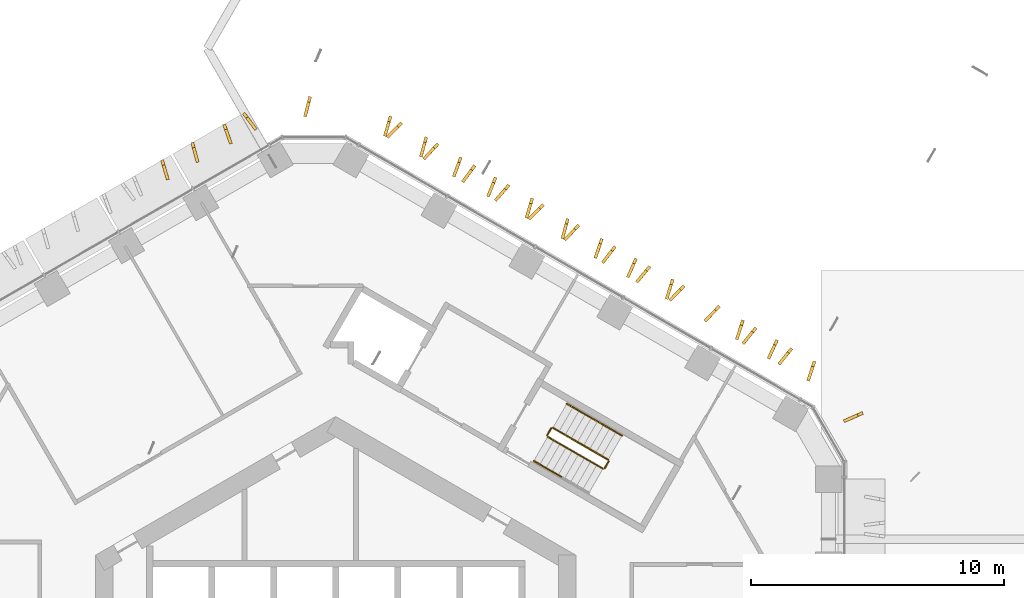
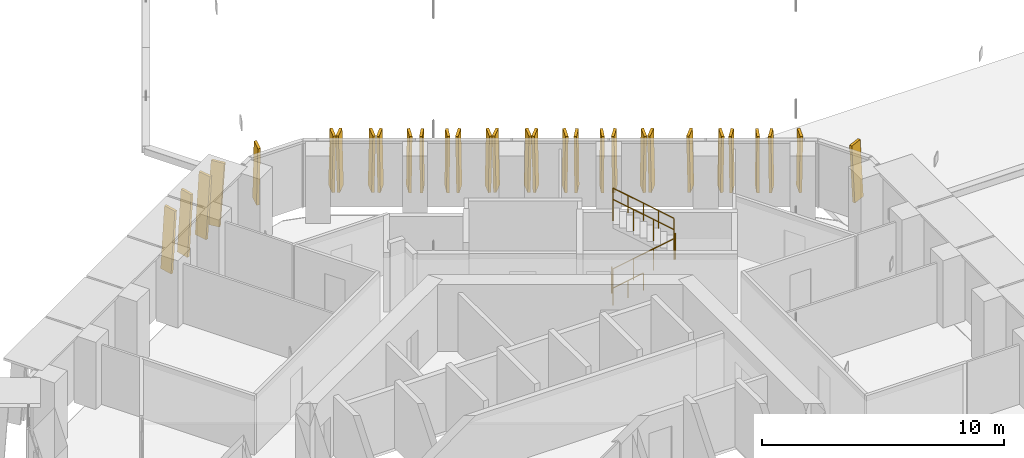
# One storey, part 25 of 25: 30 shading devices, 7 railings.
"""IFC4 building model written with IfcOpenShell, lengths in metres."""

from ifc_helpers import new_model, si_unit, direction, frame, origin, origin_2d, place, context, subcontext, project, spatial, polyline, circle, outline, extrude, material, layer, layer_set, type_object, element, save


model = new_model("IFC4")

# Units and contexts
model_context = context("Model", 3, precision=1e-05, world=origin(), true_north=direction((0.0, 1.0)))
body_context = subcontext(model_context, "Body", "Model", "MODEL_VIEW")
ifc_project = project(units=[si_unit("LENGTHUNIT", "METRE"), si_unit("AREAUNIT", "SQUARE_METRE"), si_unit("VOLUMEUNIT", "CUBIC_METRE"), si_unit("PLANEANGLEUNIT", "RADIAN"), si_unit("MASSUNIT", "GRAM", prefix="KILO")], contexts=[model_context])

# Site, building, storey
site_placement = place(None, origin())
site = spatial("IfcSite", under=ifc_project, at=site_placement, CompositionType="ELEMENT")
building_placement = place(site_placement, origin())
building = spatial("IfcBuilding", under=site, at=building_placement, Name="Ayvan Gate Tower", CompositionType="ELEMENT")
storey_placement = place(building_placement, frame((0.0, 0.0, 132.5)))
storey = spatial("IfcBuildingStorey", under=building, at=storey_placement, Name="L35", CompositionType="ELEMENT", Elevation=132.5)

# Shading devices
ifc_material_1 = material(Name="Bronze anodised aluminium", Category="aluminium")
ifc_layer = layer(ifc_material_1, 0.1201171875)
ifc_layer_set = layer_set([ifc_layer], Name="Bronze anodised aluminium")
shading_device_type = type_object("IfcShadingDeviceType", Name="Bronze fin 600 x 120", PredefinedType="USERDEFINED", material=ifc_layer_set)
shading_device_1_placement = place(storey_placement, frame((-3.231689453125, 22.52197265625, 0.0), z_axis=(0.797551794974, 0.603250273494, 0.000491795237), x_axis=(-0.603250346415, 0.797551891447, -7.9812e-08)))
element("IfcShadingDevice", 1, at=shading_device_1_placement, inside=storey, type_object=shading_device_type, Name="Bronze fin FG12.1.1", ObjectType="FIN", PredefinedType="USERDEFINED", context=body_context, shape_type="SweptSolid", body=[
    extrude(outline(polyline([(0.0, 0.0), (0.5999069142144828, 0.0), (0.38355439948075887, 3.280029724145549), (-0.21649979265032923, 3.280029628373975), (0.0, 0.0)])), origin(), (0.0, 0.0, -1.0), 0.1201171875),
])
shading_device_2_placement = place(storey_placement, frame((-4.157958984375, 21.978759765625, 0.0), z_axis=(0.943132871597, 0.332415684251, 0.000446516078), x_axis=(-0.332415717389, 0.943132965616, 0.0)))
element("IfcShadingDevice", 2, at=shading_device_2_placement, inside=storey, type_object=shading_device_type, Name="Bronze fin FG12.1.2", ObjectType="FIN", PredefinedType="USERDEFINED", context=body_context, shape_type="SweptSolid", body=[
    extrude(outline(polyline([(0.0, 0.0), (0.600040492042501, -1.3552527156068805e-20), (0.3836309296616108, 3.280029623855607), (-0.21640956238089024, 3.280029623855607), (0.0, 0.0)])), origin(), (0.0, 0.0, -1.0), 0.1201171875),
])
shading_device_3_placement = place(storey_placement, frame((-5.457275390625, 21.245849609375, 0.0), z_axis=(0.964829429469, 0.262876343921, 0.000447031627), x_axis=(-0.262876370187, 0.964829525873, 0.0)))
element("IfcShadingDevice", 3, at=shading_device_3_placement, inside=storey, type_object=shading_device_type, Name="Bronze fin FG12.1.4", ObjectType="FIN", PredefinedType="USERDEFINED", context=body_context, shape_type="SweptSolid", body=[
    extrude(outline(polyline([(0.0, 0.0), (0.5999582375456302, -1.3552527156068805e-20), (0.3837553542008611, 3.280029624611109), (-0.21620288334476898, 3.280029624611109), (0.0, 0.0)])), origin(), (0.0, 0.0, -1.0), 0.1201171875),
])
shading_device_4_placement = place(storey_placement, frame((-6.64111328125, 20.55712890625, 0.0), z_axis=(0.959407506049, 0.282023076009, 0.000471100917), x_axis=(-0.282023107293, 0.959407612516, -2.7029e-08)))
element("IfcShadingDevice", 4, at=shading_device_4_placement, inside=storey, type_object=shading_device_type, Name="Bronze fin FG12.1.6", ObjectType="FIN", PredefinedType="USERDEFINED", context=body_context, shape_type="SweptSolid", body=[
    extrude(outline(polyline([(0.0, 0.0), (0.600030557535579, 1.3552527156068805e-20), (0.38343175509556043, 3.2800296712173793), (-0.21636457206586915, 3.280029638786859), (0.0, 0.0)])), origin(), (0.0, 0.0, -1.0), 0.1201171875),
])
shading_device_5_placement = place(storey_placement, frame((20.314453125, 10.813720703125, 0.0), z_axis=(0.404060879672, -0.914731981373, 0.000455819153), x_axis=(0.914732076401, 0.404060921649, 0.0)))
element("IfcShadingDevice", 5, at=shading_device_5_placement, inside=storey, type_object=shading_device_type, Name="Bronze fin FG12.10.130", ObjectType="FIN", PredefinedType="USERDEFINED", context=body_context, shape_type="SweptSolid", body=[
    extrude(outline(polyline([(0.0, 0.0), (0.599987842516117, 0.0), (0.3836033983130431, 3.000000311656699), (-0.21638444420307396, 3.000000311656699), (0.0, 0.0)])), origin(), (0.0, 0.0, -1.0), 0.1201171875),
])
shading_device_6_placement = place(storey_placement, frame((18.798583984375, 12.563720703125, 0.0), z_axis=(0.950537930955, -0.310608050624, 0.000529814536), x_axis=(0.310608094184, 0.950538064376, 6.8983e-08)))
element("IfcShadingDevice", 6, at=shading_device_6_placement, inside=storey, type_object=shading_device_type, Name="Bronze fin FG12.11.131", ObjectType="FIN", PredefinedType="USERDEFINED", context=body_context, shape_type="SweptSolid", body=[
    extrude(outline(polyline([(0.0, 0.0), (0.5999635972276286, -2.710505431213761e-20), (0.38372043295038133, 3.000000394585109), (-0.21655106128861445, 3.0000004773808113), (0.0, 0.0)])), origin(), (0.0, 0.0, -1.0), 0.1201171875),
])
shading_device_7_placement = place(storey_placement, frame((17.700439453125, 13.1591796875, 0.0), z_axis=(0.779278163108, -0.62667800062, 0.000477537835), x_axis=(0.626678072074, 0.779278251962, 0.0)))
element("IfcShadingDevice", 7, at=shading_device_7_placement, inside=storey, type_object=shading_device_type, Name="Bronze fin FG12.11.132", ObjectType="FIN", PredefinedType="USERDEFINED", context=body_context, shape_type="SweptSolid", body=[
    extrude(outline(polyline([(0.0, 0.0), (0.5999516805424819, 2.710505431213761e-20), (0.38356889747128375, 3.000000342063634), (-0.21638278307119818, 3.000000342063634), (0.0, 0.0)])), origin(), (0.0, 0.0, -1.0), 0.1201171875),
])
shading_device_8_placement = place(storey_placement, frame((17.25439453125, 13.42333984375, 0.0), z_axis=(0.908820577889, -0.417186885687, 0.000509526187), x_axis=(0.417186939885, 0.908820695841, -9.4183e-08)))
element("IfcShadingDevice", 8, at=shading_device_8_placement, inside=storey, type_object=shading_device_type, Name="Bronze fin FG12.11.133", ObjectType="FIN", PredefinedType="USERDEFINED", context=body_context, shape_type="SweptSolid", body=[
    extrude(outline(polyline([(0.0, 0.0), (0.6001804772537527, 2.710505431213761e-20), (0.3837140550176979, 3.0000004255648656), (-0.21636456995580933, 3.0000003125207613), (0.0, 0.0)])), origin(), (0.0, 0.0, -1.0), 0.1201171875),
])
shading_device_9_placement = place(storey_placement, frame((16.28515625, 13.976806640625, 0.0), z_axis=(0.77772303272, -0.628606898014, 0.000502141585), x_axis=(0.628606977289, 0.77772313075, -6.4224e-08)))
element("IfcShadingDevice", 9, at=shading_device_9_placement, inside=storey, type_object=shading_device_type, Name="Bronze fin FG12.11.134", ObjectType="FIN", PredefinedType="USERDEFINED", context=body_context, shape_type="SweptSolid", body=[
    extrude(outline(polyline([(0.0, 0.0), (0.5999576862243057, 0.0), (0.38364463569208285, 3.0000004028583853), (-0.2165029243434411, 3.000000325783275), (0.0, 0.0)])), origin(), (0.0, 0.0, -1.0), 0.1201171875),
])
shading_device_10_placement = place(storey_placement, frame((15.975830078125, 14.1943359375, 0.0), z_axis=(0.951235584002, -0.308464843925, 0.00055117166), x_axis=(0.308464890797, 0.951235728485, -3.4601e-08)))
element("IfcShadingDevice", 10, at=shading_device_10_placement, inside=storey, type_object=shading_device_type, Name="Bronze fin FG12.11.135", ObjectType="FIN", PredefinedType="USERDEFINED", context=body_context, shape_type="SweptSolid", body=[
    extrude(outline(polyline([(0.0, 0.0), (0.599817940598778, 1.3552527156068805e-20), (0.38342149473686266, 3.000000468952005), (-0.2166286811471899, 3.000000427435887), (0.0, 0.0)])), origin(), (0.0, 0.0, -1.0), 0.1201171875),
])
shading_device_11_placement = place(storey_placement, frame((14.792724609375, 14.857421875, 0.0), z_axis=(0.717706188322, -0.696345885099, 0.000485335015), x_axis=(0.696345967086, 0.717706272874, 7.0871e-08)))
element("IfcShadingDevice", 11, at=shading_device_11_placement, inside=storey, type_object=shading_device_type, Name="Bronze fin FG12.11.136", ObjectType="FIN", PredefinedType="USERDEFINED", context=body_context, shape_type="SweptSolid", body=[
    extrude(outline(polyline([(0.0, 0.0), (0.5999711462486172, -2.710505431213761e-20), (0.38365758688455504, 3.000000326135019), (-0.21648356570368285, 3.000000411188079), (0.0, 0.0)])), origin(), (0.0, 0.0, -1.0), 0.1201171875),
])
shading_device_12_placement = place(storey_placement, frame((13.39697265625, 15.664794921875, 0.0), z_axis=(0.713484380332, -0.700670949329, 0.000509694313), x_axis=(0.700671040369, 0.713484472984, -7.3953e-08)))
element("IfcShadingDevice", 12, at=shading_device_12_placement, inside=storey, type_object=shading_device_type, Name="Bronze fin FG12.11.138", ObjectType="FIN", PredefinedType="USERDEFINED", context=body_context, shape_type="SweptSolid", body=[
    extrude(outline(polyline([(0.0, 0.0), (0.6002705000411246, -2.710505431213761e-20), (0.38379363748201195, 3.000000418065317), (-0.21630580029339758, 3.0000003292940374), (0.0, 0.0)])), origin(), (0.0, 0.0, -1.0), 0.1201171875),
])
shading_device_13_placement = place(storey_placement, frame((13.203369140625, 15.799072265625, 0.0), z_axis=(0.954801488968, -0.297243762067, 0.000512422218), x_axis=(0.297243801126, 0.954801614312, -6.8535e-08)))
element("IfcShadingDevice", 13, at=shading_device_13_placement, inside=storey, type_object=shading_device_type, Name="Bronze fin FG12.11.139", ObjectType="FIN", PredefinedType="USERDEFINED", context=body_context, shape_type="SweptSolid", body=[
    extrude(outline(polyline([(0.0, 0.0), (0.600147609231588, 1.3552527156068805e-20), (0.38357924190781817, 3.0000004201535693), (-0.2162626921735166, 3.000000337912011), (0.0, 0.0)])), origin(), (0.0, 0.0, -1.0), 0.1201171875),
])
shading_device_14_placement = place(storey_placement, frame((12.08203125, 16.406005859375, 0.0), z_axis=(0.767453465582, -0.641104419419, 0.00054915161), x_axis=(0.641104516123, 0.767453581271, -8.5737e-08)))
element("IfcShadingDevice", 14, at=shading_device_14_placement, inside=storey, type_object=shading_device_type, Name="Bronze fin FG12.11.140", ObjectType="FIN", PredefinedType="USERDEFINED", context=body_context, shape_type="SweptSolid", body=[
    extrude(outline(polyline([(0.0, 0.0), (0.6000483817598112, 0.0), (0.3835460217182938, 3.0000004852354265), (-0.21634584038426086, 3.0000003823561774), (0.0, 0.0)])), origin(), (0.0, 0.0, -1.0), 0.1201171875),
])
shading_device_15_placement = place(storey_placement, frame((11.68701171875, 16.641845703125, 0.0), z_axis=(0.916493156445, -0.400050076725, 0.000479896987), x_axis=(0.400050122791, 0.91649326198, 0.0)))
element("IfcShadingDevice", 15, at=shading_device_15_placement, inside=storey, type_object=shading_device_type, Name="Bronze fin FG12.11.141", ObjectType="FIN", PredefinedType="USERDEFINED", context=body_context, shape_type="SweptSolid", body=[
    extrude(outline(polyline([(0.0, 0.0), (0.5999004142291786, 0.0), (0.3834996362973828, 3.0000003454517365), (-0.21640077793179577, 3.0000003454517365), (0.0, 0.0)])), origin(), (0.0, 0.0, -1.0), 0.1201171875),
])
shading_device_16_placement = place(storey_placement, frame((10.72900390625, 17.181640625, 0.0), z_axis=(0.79129833209, -0.611430056038, 0.000486008659), x_axis=(0.611430128196, 0.791298425586, 1.38709e-07)))
element("IfcShadingDevice", 16, at=shading_device_16_placement, inside=storey, type_object=shading_device_type, Name="Bronze fin FG12.11.142", ObjectType="FIN", PredefinedType="USERDEFINED", context=body_context, shape_type="SweptSolid", body=[
    extrude(outline(polyline([(0.0, 0.0), (0.5999617896275216, 2.710505431213761e-20), (0.38361280364123235, 3.000000301096234), (-0.21630507282774675, 3.000000467530139), (0.0, 0.0)])), origin(), (0.0, 0.0, -1.0), 0.1201171875),
])
shading_device_17_placement = place(storey_placement, frame((10.3876953125, 17.4140625, 0.0), z_axis=(0.945420394399, -0.325852726297, 0.000527843194), x_axis=(0.325852771691, 0.945420526105, 0.0)))
element("IfcShadingDevice", 17, at=shading_device_17_placement, inside=storey, type_object=shading_device_type, Name="Bronze fin FG12.11.143", ObjectType="FIN", PredefinedType="USERDEFINED", context=body_context, shape_type="SweptSolid", body=[
    extrude(outline(polyline([(0.0, 0.0), (0.6001380304671131, 0.0), (0.3837078235645476, 3.0000004179277426), (-0.2164302069025655, 3.0000004179277426), (0.0, 0.0)])), origin(), (0.0, 0.0, -1.0), 0.1201171875),
])
shading_device_18_placement = place(storey_placement, frame((9.2421875, 18.058837890625, 0.0), z_axis=(0.725872388741, -0.687829188995, 0.000531065358), x_axis=(0.687829286019, 0.725872491071, -7.8412e-08)))
element("IfcShadingDevice", 18, at=shading_device_18_placement, inside=storey, type_object=shading_device_type, Name="Bronze fin FG12.11.144", ObjectType="FIN", PredefinedType="USERDEFINED", context=body_context, shape_type="SweptSolid", body=[
    extrude(outline(polyline([(0.0, 0.0), (0.600116173518062, 0.0), (0.3836004273695949, 3.0000004531246307), (-0.2163478190766851, 3.00000035902507), (0.0, 0.0)])), origin(), (0.0, 0.0, -1.0), 0.1201171875),
])
shading_device_19_placement = place(storey_placement, frame((9.075439453125, 18.197021484375, 0.0), z_axis=(0.965063528009, -0.262015561567, 0.000482082527), x_axis=(0.262015592014, 0.965063640151, 0.0)))
element("IfcShadingDevice", 19, at=shading_device_19_placement, inside=storey, type_object=shading_device_type, Name="Bronze fin FG12.11.145", ObjectType="FIN", PredefinedType="USERDEFINED", context=body_context, shape_type="SweptSolid", body=[
    extrude(outline(polyline([(0.0, 0.0), (0.6000656727771618, 1.3552527156068805e-20), (0.38362913479173455, 3.0000003486054045), (-0.2164365379854273, 3.0000003486054045), (0.0, 0.0)])), origin(), (0.0, 0.0, -1.0), 0.1201171875),
])
shading_device_20_placement = place(storey_placement, frame((7.830078125, 18.880859375, 0.0), z_axis=(0.708935679413, -0.705272980725, 0.000474463084), x_axis=(0.705273060109, 0.708935759209, 0.0)))
element("IfcShadingDevice", 20, at=shading_device_20_placement, inside=storey, type_object=shading_device_type, Name="Bronze fin FG12.11.146", ObjectType="FIN", PredefinedType="USERDEFINED", context=body_context, shape_type="SweptSolid", body=[
    extrude(outline(polyline([(0.0, 0.0), (0.5999033949487422, 0.0), (0.3835965911023943, 3.0000003376728848), (-0.21630680384634796, 3.0000003376728848), (0.0, 0.0)])), origin(), (0.0, 0.0, -1.0), 0.1201171875),
])
shading_device_21_placement = place(storey_placement, frame((7.658935546875, 19.005859375, 0.0), z_axis=(0.959043975275, -0.283256782004, 0.000498935719), x_axis=(0.283256817274, 0.959044094642, -2.8764e-08)))
element("IfcShadingDevice", 21, at=shading_device_21_placement, inside=storey, type_object=shading_device_type, Name="Bronze fin FG12.11.147", ObjectType="FIN", PredefinedType="USERDEFINED", context=body_context, shape_type="SweptSolid", body=[
    extrude(outline(polyline([(0.0, 0.0), (0.5997691972166481, 0.0), (0.38344430762945053, 3.000000384434781), (-0.21655903121186604, 3.0000003499243975), (0.0, 0.0)])), origin(), (0.0, 0.0, -1.0), 0.1201171875),
])
shading_device_22_placement = place(storey_placement, frame((6.500732421875, 19.63232421875, 0.0), z_axis=(0.753974203806, -0.656903840725, 0.000493998655), x_axis=(0.656903920904, 0.753974295783, -6.6048e-08)))
element("IfcShadingDevice", 22, at=shading_device_22_placement, inside=storey, type_object=shading_device_type, Name="Bronze fin FG12.11.148", ObjectType="FIN", PredefinedType="USERDEFINED", context=body_context, shape_type="SweptSolid", body=[
    extrude(outline(polyline([(0.0, 0.0), (0.5997566709298165, -2.710505431213761e-20), (0.38338891078003506, 3.000000391374321), (-0.21655183590558785, 3.0000003121361734), (0.0, 0.0)])), origin(), (0.0, 0.0, -1.0), 0.1201171875),
])
shading_device_23_placement = place(storey_placement, frame((6.153076171875, 19.842529296875, 0.0), z_axis=(0.925957914868, -0.377626431552, 0.000466996812), x_axis=(0.377626472714, 0.925958015844, 3.5874e-08)))
element("IfcShadingDevice", 23, at=shading_device_23_placement, inside=storey, type_object=shading_device_type, Name="Bronze fin FG12.11.149", ObjectType="FIN", PredefinedType="USERDEFINED", context=body_context, shape_type="SweptSolid", body=[
    extrude(outline(polyline([(0.0, 0.0), (0.6000775905125291, 0.0), (0.3835853603171978, 3.000000313368374), (-0.21626616622661948, 3.000000356414551), (0.0, 0.0)])), origin(), (0.0, 0.0, -1.0), 0.1201171875),
])
shading_device_24_placement = place(storey_placement, frame((5.19189453125, 20.3759765625, 0.0), z_axis=(0.805796530266, -0.592192299825, 0.000481496887), x_axis=(0.592192368524, 0.805796623635, -1.36942e-07)))
element("IfcShadingDevice", 24, at=shading_device_24_placement, inside=storey, type_object=shading_device_type, Name="Bronze fin FG12.11.150", ObjectType="FIN", PredefinedType="USERDEFINED", context=body_context, shape_type="SweptSolid", body=[
    extrude(outline(polyline([(0.0, 0.0), (0.6000267098068054, -2.710505431213761e-20), (0.3837231842106155, 3.000000400306793), (-0.21635567507253523, 3.0000002359619202), (0.0, 0.0)])), origin(), (0.0, 0.0, -1.0), 0.1201171875),
])
shading_device_25_placement = place(storey_placement, frame((4.79736328125, 20.63525390625, 0.0), z_axis=(0.938575510929, -0.345073502392, 0.000536872491), x_axis=(0.345073552142, 0.938575646185, -3.7701e-08)))
element("IfcShadingDevice", 25, at=shading_device_25_placement, inside=storey, type_object=shading_device_type, Name="Bronze fin FG12.11.151", ObjectType="FIN", PredefinedType="USERDEFINED", context=body_context, shape_type="SweptSolid", body=[
    extrude(outline(polyline([(0.0, 0.0), (0.599848098710853, 0.0), (0.3836023413318599, 3.0000004468103536), (-0.21647490182386245, 3.000000401572101), (0.0, 0.0)])), origin(), (0.0, 0.0, -1.0), 0.1201171875),
])
shading_device_26_placement = place(storey_placement, frame((3.677001953125, 21.2685546875, 0.0), z_axis=(0.735013906661, -0.678051854664, 0.000489285855), x_axis=(0.678051935829, 0.735013994641, -5.668e-09)))
element("IfcShadingDevice", 26, at=shading_device_26_placement, inside=storey, type_object=shading_device_type, Name="Bronze fin FG12.11.152", ObjectType="FIN", PredefinedType="USERDEFINED", context=body_context, shape_type="SweptSolid", body=[
    extrude(outline(polyline([(0.0, 0.0), (0.6002155432968148, 0.0), (0.38361676124317046, 3.0000003612754833), (-0.21625379525421318, 3.0000003544730616), (0.0, 0.0)])), origin(), (0.0, 0.0, -1.0), 0.1201171875),
])
shading_device_27_placement = place(storey_placement, frame((3.47998046875, 21.42529296875, 0.0), z_axis=(0.963599364186, -0.267349992513, 0.000496834463), x_axis=(0.26735002551, 0.963599483115, 0.0)))
element("IfcShadingDevice", 27, at=shading_device_27_placement, inside=storey, type_object=shading_device_type, Name="Bronze fin FG12.11.153", ObjectType="FIN", PredefinedType="USERDEFINED", context=body_context, shape_type="SweptSolid", body=[
    extrude(outline(polyline([(0.0, 0.0), (0.5999639997013593, 0.0), (0.3834316717481956, 3.000000370266794), (-0.21653232795316368, 3.000000370266794), (0.0, 0.0)])), origin(), (0.0, 0.0, -1.0), 0.1201171875),
])
shading_device_28_placement = place(storey_placement, frame((2.227783203125, 22.115966796875, 0.0), z_axis=(0.707310133255, -0.706903165399, 0.000538649512), x_axis=(0.706903267951, 0.707310235866, 0.0)))
element("IfcShadingDevice", 28, at=shading_device_28_placement, inside=storey, type_object=shading_device_type, Name="Bronze fin FG12.11.154", ObjectType="FIN", PredefinedType="USERDEFINED", context=body_context, shape_type="SweptSolid", body=[
    extrude(outline(polyline([(0.0, 0.0), (0.5999014078040121, 0.0), (0.38359209901849955, 3.00000043521504), (-0.2163093087855126, 3.00000043521504), (0.0, 0.0)])), origin(), (0.0, 0.0, -1.0), 0.1201171875),
])
shading_device_29_placement = place(storey_placement, frame((2.058837890625, 22.242919921875, 0.0), z_axis=(0.96164659165, -0.274291071846, 0.000490584243), x_axis=(0.274291104853, 0.961646707371, 0.0)))
element("IfcShadingDevice", 29, at=shading_device_29_placement, inside=storey, type_object=shading_device_type, Name="Bronze fin FG12.11.155", ObjectType="FIN", PredefinedType="USERDEFINED", context=body_context, shape_type="SweptSolid", body=[
    extrude(outline(polyline([(0.0, 0.0), (0.5999129331518229, 0.0), (0.3834432473408908, 3.000000361009415), (-0.21646968581093207, 3.000000361009415), (0.0, 0.0)])), origin(), (0.0, 0.0, -1.0), 0.1201171875),
])
shading_device_30_placement = place(storey_placement, frame((-1.10009765625, 23.021240234375, 0.0), z_axis=(0.969444403786, -0.245310522653, 0.000543548015), x_axis=(0.245310558891, 0.969444546994, 0.0)))
element("IfcShadingDevice", 30, at=shading_device_30_placement, inside=storey, type_object=shading_device_type, Name="Bronze fin FG12.12.156", ObjectType="FIN", PredefinedType="USERDEFINED", context=body_context, shape_type="SweptSolid", body=[
    extrude(outline(polyline([(0.0, 0.0), (0.6001241754145997, 0.0), (0.38363662987931707, 3.000000443166766), (-0.21648754553528263, 3.000000443166766), (0.0, 0.0)])), origin(), (0.0, 0.0, -1.0), 0.1201171875),
])

# Railings
ifc_material_2 = material(Name="Stainless steel balustrade", Category="steel")
railing_type_1 = type_object("IfcRailingType", Name="RL-GUARD-1100", PredefinedType="GUARDRAIL", material=ifc_material_2)
railing_1_placement = place(storey_placement, frame((8.381103515625, 10.16650390625, 0.169921875)))
element("IfcRailing", 31, at=railing_1_placement, inside=storey, type_object=railing_type_1, Name="L35 STS1 stair guard 1", PredefinedType="GUARDRAIL", context=body_context, shape_type="SweptSolid", body=[
    extrude(circle(Radius=0.02392578125, at=origin_2d()), frame((0.0, 0.0, 1.076171875), z_axis=(0.740261155115, -0.427395438142, 0.518986090067), x_axis=(0.500004791531, 0.866022637375, 0.0)), (0.0, 0.0, 1.0), 2.947998046875),
    extrude(circle(Radius=0.02099609375, at=origin_2d()), origin(), (0.0, 0.0, 1.0), 1.052001953125),
    extrude(circle(Radius=0.02099609375, at=origin_2d()), frame((0.7275390625, -0.419921875, 0.510009765625)), (0.0, 0.0, 1.0), 1.052001953125),
    extrude(circle(Radius=0.02099609375, at=origin_2d()), frame((1.454833984375, -0.840087890625, 1.02001953125)), (0.0, 0.0, 1.0), 1.052001953125),
    extrude(circle(Radius=0.02099609375, at=origin_2d()), frame((2.182373046875, -1.260009765625, 1.530029296875)), (0.0, 0.0, 1.0), 1.052001953125),
])
railing_2_placement = place(storey_placement, frame((10.6318359375, 8.9248046875, 1.699951171875)))
element("IfcRailing", 32, at=railing_2_placement, inside=storey, type_object=railing_type_1, Name="L35 STS1 stair guard 2", PredefinedType="GUARDRAIL", context=body_context, shape_type="SweptSolid", body=[
    extrude(circle(Radius=0.02392578125, at=origin_2d()), frame((0.0, 0.0, 1.076171875), z_axis=(0.499949632511, 0.866054481515, 0.0), x_axis=(-0.866054481515, 0.499949632511, 0.0)), (0.0, 0.0, 1.0), 0.31005859375),
    extrude(circle(Radius=0.02099609375, at=origin_2d()), origin(), (0.0, 0.0, 1.0), 1.052001953125),
    extrude(circle(Radius=0.02099609375, at=origin_2d()), frame((0.155029296875, 0.2685546875, 0.0)), (0.0, 0.0, 1.0), 1.052001953125),
])
railing_3_placement = place(storey_placement, frame((10.7685546875, 9.261474609375, 1.8701171875)))
element("IfcRailing", 33, at=railing_3_placement, inside=storey, type_object=railing_type_1, Name="L35 STS1 stair guard 3", PredefinedType="GUARDRAIL", context=body_context, shape_type="SweptSolid", body=[
    extrude(circle(Radius=0.02392578125, at=origin_2d()), frame((0.0, 0.0, 1.076171875), z_axis=(-0.740292969978, 0.427413806696, 0.51892557891), x_axis=(-0.500004791531, -0.866022637375, 0.0)), (0.0, 0.0, 1.0), 2.947998046875),
    extrude(circle(Radius=0.02099609375, at=origin_2d()), origin(), (0.0, 0.0, 1.0), 1.052001953125),
    extrude(circle(Radius=0.02099609375, at=origin_2d()), frame((-0.7275390625, 0.419921875, 0.510009765625)), (0.0, 0.0, 1.0), 1.052001953125),
    extrude(circle(Radius=0.02099609375, at=origin_2d()), frame((-1.454833984375, 0.840087890625, 1.019775390625)), (0.0, 0.0, 1.0), 1.052001953125),
    extrude(circle(Radius=0.02099609375, at=origin_2d()), frame((-2.182373046875, 1.260009765625, 1.52978515625)), (0.0, 0.0, 1.0), 1.052001953125),
])
railing_4_placement = place(storey_placement, frame((8.36279296875, 10.23486328125, 0.0)))
element("IfcRailing", 34, at=railing_4_placement, inside=storey, type_object=railing_type_1, Name="L35 STS1 stair guard 4", PredefinedType="GUARDRAIL", context=body_context, shape_type="SweptSolid", body=[
    extrude(circle(Radius=0.02392578125, at=origin_2d()), frame((0.0, 0.0, 1.076171875), z_axis=(0.500290723946, 0.86585748916, 0.0), x_axis=(-0.86585748916, 0.500290723946, 0.0)), (0.0, 0.0, 1.0), 0.309814453125),
    extrude(circle(Radius=0.02099609375, at=origin_2d()), origin(), (0.0, 0.0, 1.0), 1.052001953125),
    extrude(circle(Radius=0.02099609375, at=origin_2d()), frame((0.155029296875, 0.268310546875, 0.0)), (0.0, 0.0, 1.0), 1.052001953125),
])
railing_type_2 = type_object("IfcRailingType", Name="RL-HANDRAIL-900", PredefinedType="HANDRAIL", material=ifc_material_2)
railing_5_placement = place(storey_placement, frame((7.8310546875, 9.2138671875, 0.169921875)))
element("IfcRailing", 35, at=railing_5_placement, inside=storey, type_object=railing_type_2, Name="L35 STS1 stair handrail 1", PredefinedType="HANDRAIL", context=body_context, shape_type="SweptSolid", body=[
    extrude(circle(Radius=0.02392578125, at=origin_2d()), frame((0.0, 0.0, 0.8759765625), z_axis=(0.740292964666, -0.42728318766, 0.519033143459), x_axis=(0.499890179513, 0.866088799389, 0.0)), (0.0, 0.0, 1.0), 1.47412109375),
    extrude(circle(Radius=0.02099609375, at=origin_2d()), origin(), (0.0, 0.0, 1.0), 0.851806640625),
    extrude(circle(Radius=0.02099609375, at=origin_2d()), frame((0.545654296875, -0.31494140625, 0.382568359375)), (0.0, 0.0, 1.0), 0.851806640625),
    extrude(circle(Radius=0.02099609375, at=origin_2d()), frame((1.09130859375, -0.6298828125, 0.76513671875)), (0.0, 0.0, 1.0), 0.851806640625),
])
railing_6_placement = place(storey_placement, frame((11.318603515625, 10.214111328125, 1.8701171875)))
element("IfcRailing", 36, at=railing_6_placement, inside=storey, type_object=railing_type_2, Name="L35 STS1 stair handrail 3", PredefinedType="HANDRAIL", context=body_context, shape_type="SweptSolid", body=[
    extrude(circle(Radius=0.02392578125, at=origin_2d()), frame((0.0, 0.0, 0.8759765625), z_axis=(-0.740304193401, 0.427455284825, 0.518875399983), x_axis=(-0.500035496587, -0.86600490885, 0.0)), (0.0, 0.0, 1.0), 1.47412109375),
    extrude(circle(Radius=0.02099609375, at=origin_2d()), origin(), (0.0, 0.0, 1.0), 0.851806640625),
    extrude(circle(Radius=0.02099609375, at=origin_2d()), frame((-0.545654296875, 0.31494140625, 0.38232421875)), (0.0, 0.0, 1.0), 0.851806640625),
    extrude(circle(Radius=0.02099609375, at=origin_2d()), frame((-1.09130859375, 0.630126953125, 0.764892578125)), (0.0, 0.0, 1.0), 0.851806640625),
])
railing_7_placement = place(storey_placement, frame((10.227294921875, 10.84423828125, 2.635009765625)))
element("IfcRailing", 37, at=railing_7_placement, inside=storey, type_object=railing_type_2, Name="L35 STS1 stair handrail 4", PredefinedType="HANDRAIL", context=body_context, shape_type="SweptSolid", body=[
    extrude(circle(Radius=0.02392578125, at=origin_2d()), frame((0.0, 0.0, 0.8759765625), z_axis=(-0.740356597536, 0.427319915356, 0.518912129772), x_axis=(-0.499890179513, -0.866088799389, 0.0)), (0.0, 0.0, 1.0), 1.47412109375),
    extrude(circle(Radius=0.02099609375, at=origin_2d()), origin(), (0.0, 0.0, 1.0), 0.851806640625),
    extrude(circle(Radius=0.02099609375, at=origin_2d()), frame((-0.545654296875, 0.31494140625, 0.38232421875)), (0.0, 0.0, 1.0), 0.851806640625),
    extrude(circle(Radius=0.02099609375, at=origin_2d()), frame((-1.09130859375, 0.6298828125, 0.764892578125)), (0.0, 0.0, 1.0), 0.851806640625),
])

save(model, "model.ifc")
